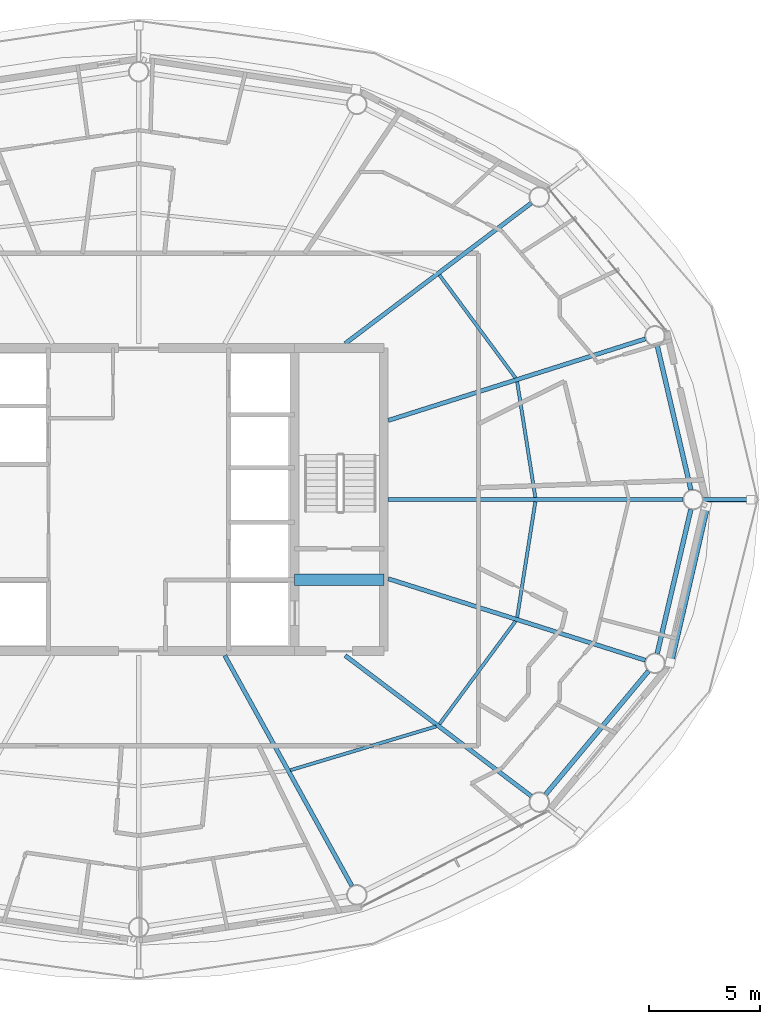
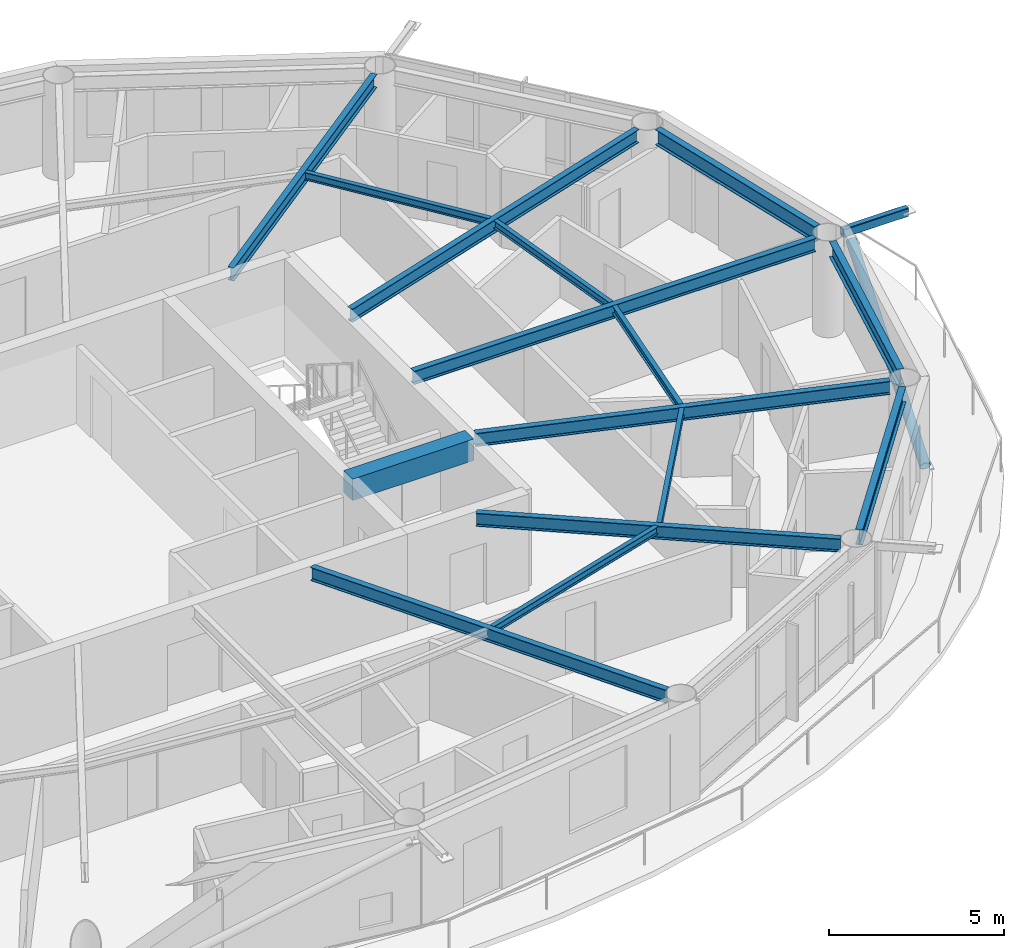
# One storey, part 6 of 23: 15 beams, 2 members.
"""IFC4 building model written with IfcOpenShell, lengths in metres."""

import ifcopenshell
import ifcopenshell.guid

model = None  # the IFC model being written
_history = None  # IfcOwnerHistory: only IFC2X3 demands one
_inside = {}  # id of a spatial element -> (the spatial element, [elements in it])
_under = {}  # id of a project, library or spatial element -> (it, [spatial elements below it])
_declared = {}  # id of a project -> (the project, [libraries it declares])
_typed = {}  # id of a type object -> (the type object, [elements of that type])
_made_of = {}  # id of a material, layer set ... -> (it, [elements and type objects made of it])


def new_model(schema):
    """Start an empty IFC model of exactly this schema.

    Asked for "IFC4X3", IfcOpenShell would pick the latest addendum, in which some entities
    have other attributes; the version numbers below select the first issue.
    IFC2X3 requires an IfcOwnerHistory on every rooted entity: one is made here for all.
    """
    global model, _history
    if schema == "IFC4X3":
        model = ifcopenshell.file(schema_version=(4, 3, 0, 0))
    else:
        model = ifcopenshell.file(schema=schema)
    _inside.clear()
    _under.clear()
    _declared.clear()
    _typed.clear()
    _made_of.clear()
    _history = None
    if model.schema == "IFC2X3":
        org = make("IfcOrganization", Name="unknown")
        user = make(
            "IfcPersonAndOrganization",
            ThePerson=make("IfcPerson", FamilyName="unknown"),
            TheOrganization=org,
        )
        app = make(
            "IfcApplication",
            ApplicationDeveloper=org,
            Version="unknown",
            ApplicationFullName="unknown",
            ApplicationIdentifier="unknown",
        )
        _history = make(
            "IfcOwnerHistory",
            OwningUser=user,
            OwningApplication=app,
            ChangeAction="ADDED",
            CreationDate=0,
        )
    return model


def make(cls, **values):
    """One entity of the class cls with the attributes given. An attribute that is None is left unset."""
    return model.create_entity(
        cls, **{name: value for name, value in values.items() if value is not None}
    )


def rooted(cls, **values):
    """An entity with a GlobalId (a new one), such as an element, a storey or a relation."""
    return make(cls, GlobalId=ifcopenshell.guid.new(), OwnerHistory=_history, **values)


def si_unit(unit_type, name, prefix=None):
    """IfcSIUnit, for example si_unit("LENGTHUNIT", "METRE", prefix="MILLI")."""
    return make("IfcSIUnit", UnitType=unit_type, Prefix=prefix, Name=name)


def assignment(units):
    """IfcUnitAssignment: the units of a project."""
    return None if units is None else make("IfcUnitAssignment", Units=units)


def point(xyz):
    """IfcCartesianPoint."""
    return None if xyz is None else make("IfcCartesianPoint", Coordinates=xyz)


def direction(xyz):
    """IfcDirection."""
    return None if xyz is None else make("IfcDirection", DirectionRatios=xyz)


def frame(location, z_axis=None, x_axis=None):
    """IfcAxis2Placement3D, a coordinate frame: its origin and axes. An axis left out is left unset."""
    return make(
        "IfcAxis2Placement3D",
        Location=point(location),
        Axis=direction(z_axis),
        RefDirection=direction(x_axis),
    )


def frame_2d(location, x_axis=None):
    """IfcAxis2Placement2D, a coordinate frame in the plane: its origin and x axis."""
    return make(
        "IfcAxis2Placement2D", Location=point(location), RefDirection=direction(x_axis)
    )


def origin():
    """The frame at (0, 0, 0) with its axes left unset."""
    return frame((0.0, 0.0, 0.0))


def origin_2d():
    """The frame at (0, 0) in the plane with its x axis left unset."""
    return frame_2d((0.0, 0.0))


def place(relative_to, where):
    """IfcLocalPlacement: puts the frame where relative to a parent placement (None: the world)."""
    return make(
        "IfcLocalPlacement", PlacementRelTo=relative_to, RelativePlacement=where
    )


def context(
    kind, dimensions, precision=None, world=None, true_north=None, identifier=None
):
    """IfcGeometricRepresentationContext, for example the 3D "Model" context."""
    return make(
        "IfcGeometricRepresentationContext",
        ContextIdentifier=identifier,
        ContextType=kind,
        CoordinateSpaceDimension=dimensions,
        Precision=precision,
        WorldCoordinateSystem=world,
        TrueNorth=true_north,
    )


def subcontext(parent, identifier, kind, view, scale=None):
    """IfcGeometricRepresentationSubContext, for example "Body" below "Model"."""
    return make(
        "IfcGeometricRepresentationSubContext",
        ContextIdentifier=identifier,
        ContextType=kind,
        ParentContext=parent,
        TargetScale=scale,
        TargetView=view,
    )


def project(units=None, contexts=None):
    """IfcProject with its units and contexts."""
    return rooted(
        "IfcProject",
        Name="project",
        RepresentationContexts=contexts,
        UnitsInContext=assignment(units),
    )


def spatial(cls, under=None, at=None, **own):
    """A site, building, storey or space (cls), placed at a placement, below another one or the project."""
    s = rooted(cls, ObjectPlacement=at, **own)
    if under is not None:
        _under.setdefault(under.id(), (under, []))[1].append(s)
    return s


def profile(cls, at=None, kind="AREA", **sizes):
    """A parametric profile (cls). Its sizes go by their IFC names, for example OverallWidth=200.0."""
    return make(cls, ProfileType=kind, Position=at, **sizes)


def rectangle(**sizes):
    """IfcRectangleProfileDef."""
    return profile("IfcRectangleProfileDef", **sizes)


def hollow_rectangle(**sizes):
    """IfcRectangleHollowProfileDef."""
    return profile("IfcRectangleHollowProfileDef", **sizes)


def hollow_circle(**sizes):
    """IfcCircleHollowProfileDef."""
    return profile("IfcCircleHollowProfileDef", **sizes)


def i_section(**sizes):
    """IfcIShapeProfileDef."""
    return profile("IfcIShapeProfileDef", **sizes)


def extrude(swept, where, along, depth):
    """IfcExtrudedAreaSolid: the profile swept, set in the frame where, extruded along a direction by depth."""
    return make(
        "IfcExtrudedAreaSolid",
        SweptArea=swept,
        Position=where,
        ExtrudedDirection=direction(along),
        Depth=depth,
    )


def shape(context_of_items, identifier, shape_type, items):
    """IfcShapeRepresentation: the items that make up one representation, for example the "Body"."""
    return make(
        "IfcShapeRepresentation",
        ContextOfItems=context_of_items,
        RepresentationIdentifier=identifier,
        RepresentationType=shape_type,
        Items=items,
    )


def material(Name=None, Category=None):
    """IfcMaterial."""
    return make("IfcMaterial", Name=Name, Category=Category)


def material_profile(
    of_material, cross_section, Name=None, Category=None, Priority=None
):
    """IfcMaterialProfile: a cross section and its material."""
    return make(
        "IfcMaterialProfile",
        Name=Name,
        Material=of_material,
        Profile=cross_section,
        Priority=Priority,
        Category=Category,
    )


def profile_set(profiles, Name=None, composite=None):
    """IfcMaterialProfileSet."""
    return make(
        "IfcMaterialProfileSet",
        Name=Name,
        MaterialProfiles=profiles,
        CompositeProfile=composite,
    )


def made_of(thing, what):
    """Note that an element or type object is made of a material, layer set ...; save() writes the relation."""
    if what is not None:
        _made_of.setdefault(what.id(), (what, []))[1].append(thing)
    return thing


def type_object(cls, material=None, **own):
    """A type object (cls), such as IfcWallType, which elements share."""
    return made_of(rooted(cls, **own), material)


def element(
    cls,
    number,
    at=None,
    inside=None,
    cuts=None,
    type_object=None,
    material=None,
    context=None,
    identifier="Body",
    shape_type=None,
    held_by="IfcProductDefinitionShape",
    body=None,
    shapes=None,
    **own,
):
    """One element of the class cls, such as IfcWall. Its Tag is "e" and its number.

    at: its placement. inside: the storey or other place that contains it. cuts: it is an
    opening in that element (IfcRelVoidsElement). A single representation is given by context,
    identifier, shape_type and body (its items); several are given by shapes. held_by: the class
    of the entity that holds the representations. save() writes the other relations.
    """
    e = rooted(cls, Tag="e%d" % number, ObjectPlacement=at, **own)
    if body is not None:
        shapes = [shape(context, identifier, shape_type, body)]
    if shapes is not None:
        e.Representation = make(held_by, Representations=shapes)
    if inside is not None:
        _inside.setdefault(inside.id(), (inside, []))[1].append(e)
    if cuts is not None:
        rooted(
            "IfcRelVoidsElement", RelatingBuildingElement=cuts, RelatedOpeningElement=e
        )
    if type_object is not None:
        _typed.setdefault(type_object.id(), (type_object, []))[1].append(e)
    return made_of(e, material)


def aggregate(whole, parts):
    """IfcRelAggregates: a whole, such as a stair, and the parts it consists of."""
    return rooted("IfcRelAggregates", RelatingObject=whole, RelatedObjects=parts)


def save(model, path):
    """Write the relations noted so far, then the file.

    IfcRelAggregates (storeys below a building ...), IfcRelContainedInSpatialStructure (elements
    in a storey), IfcRelDefinesByType, IfcRelAssociatesMaterial and IfcRelDeclares: one each for
    every whole, place, type object, material and project.
    """
    for whole, parts in _under.values():
        aggregate(whole, parts)
    for where, things in _inside.values():
        rooted(
            "IfcRelContainedInSpatialStructure",
            RelatedElements=things,
            RelatingStructure=where,
        )
    for kind, things in _typed.values():
        rooted("IfcRelDefinesByType", RelatedObjects=things, RelatingType=kind)
    for what, things in _made_of.values():
        rooted("IfcRelAssociatesMaterial", RelatedObjects=things, RelatingMaterial=what)
    for by, libraries in _declared.values():
        rooted("IfcRelDeclares", RelatingContext=by, RelatedDefinitions=libraries)
    model.write(path)


model = new_model("IFC4")

# Units and contexts
model_context = context("Model", 3, precision=1e-05, world=origin(), true_north=direction((0.0, 1.0)))
body_context = subcontext(model_context, "Body", "Model", "MODEL_VIEW")
ifc_project = project(units=[si_unit("LENGTHUNIT", "METRE"), si_unit("AREAUNIT", "SQUARE_METRE"), si_unit("VOLUMEUNIT", "CUBIC_METRE"), si_unit("PLANEANGLEUNIT", "RADIAN"), si_unit("MASSUNIT", "GRAM", prefix="KILO")], contexts=[model_context])

# Site, building, storey
site_placement = place(None, origin())
site = spatial("IfcSite", under=ifc_project, at=site_placement, CompositionType="ELEMENT")
building_placement = place(site_placement, origin())
building = spatial("IfcBuilding", under=site, at=building_placement, Name="Sarneth Arch Tower", CompositionType="ELEMENT")
storey_placement = place(building_placement, frame((0.0, 0.0, 228.0)))
storey = spatial("IfcBuildingStorey", under=building, at=storey_placement, Name="L58", CompositionType="ELEMENT", Elevation=228.0)

# Beams
ifc_material_1 = material(Name="Steel S355", Category="steel")
ifc_material_profile_1 = material_profile(ifc_material_1, i_section(OverallWidth=0.14794921875, OverallDepth=0.26611328125, WebThickness=0.007568359375, FlangeThickness=0.012939453125, FilletRadius=0.012939453125, at=origin_2d()), Name="W250x44.8")
ifc_profile_set_1 = profile_set([ifc_material_profile_1], Name="Steel S355")
beam_type_1 = type_object("IfcBeamType", Name="BM-JOIST-250", PredefinedType="JOIST", material=ifc_profile_set_1)
beam_1_placement = place(storey_placement, frame((65.8017578125, 42.0947265625, 3.22705078125), z_axis=(-0.155421095795, 0.987848309702, 0.0), x_axis=(-0.987848309702, -0.155421095795, 0.0)))
element("IfcBeam", 1, at=beam_1_placement, inside=storey, type_object=beam_type_1, Name="L58 Secondary floor joist 01", PredefinedType="JOIST", context=body_context, shape_type="SweptSolid", body=[
    extrude(i_section(OverallWidth=0.14794921875, OverallDepth=0.26611328125, WebThickness=0.007568359375, FlangeThickness=0.012939453125, FilletRadius=0.012939453125, at=origin_2d()), origin(), (0.0, 0.0, 1.0), 5.256103515625),
])
beam_2_placement = place(storey_placement, frame((64.912841796875, 47.458740234375, 3.22705078125), z_axis=(-0.594557229879, 0.804053294501, 0.0), x_axis=(-0.804053294501, -0.594557229879, 0.0)))
element("IfcBeam", 2, at=beam_2_placement, inside=storey, type_object=beam_type_1, Name="L58 Secondary floor joist 02", PredefinedType="JOIST", context=body_context, shape_type="SweptSolid", body=[
    extrude(i_section(OverallWidth=0.14794921875, OverallDepth=0.26611328125, WebThickness=0.007568359375, FlangeThickness=0.012939453125, FilletRadius=0.012939453125, at=origin_2d()), origin(), (0.0, 0.0, 1.0), 5.74169921875),
])
beam_3_placement = place(storey_placement, frame((54.810546875, 29.85546875, 3.22705078125), z_axis=(0.957725851155, 0.287682453461, 0.0), x_axis=(-0.287682453461, 0.957725851155, 0.0)))
element("IfcBeam", 3, at=beam_3_placement, inside=storey, type_object=beam_type_1, Name="L58 Secondary floor joist 14", PredefinedType="JOIST", context=body_context, shape_type="SweptSolid", body=[
    extrude(i_section(OverallWidth=0.14794921875, OverallDepth=0.26611328125, WebThickness=0.007568359375, FlangeThickness=0.012939453125, FilletRadius=0.012939453125, at=origin_2d()), origin(), (0.0, 0.0, 1.0), 6.828125),
])
beam_4_placement = place(storey_placement, frame((61.4990234375, 31.924560546875, 3.22705078125), z_axis=(0.594557229879, 0.804053294501, 0.0), x_axis=(-0.804053294501, 0.594557229879, 0.0)))
element("IfcBeam", 4, at=beam_4_placement, inside=storey, type_object=beam_type_1, Name="L58 Secondary floor joist 15", PredefinedType="JOIST", context=body_context, shape_type="SweptSolid", body=[
    extrude(i_section(OverallWidth=0.14794921875, OverallDepth=0.26611328125, WebThickness=0.007568359375, FlangeThickness=0.012939453125, FilletRadius=0.012939453125, at=origin_2d()), origin(), (0.0, 0.0, 1.0), 5.74169921875),
])
beam_5_placement = place(storey_placement, frame((64.98486328125, 36.713134765625, 3.22705078125), z_axis=(0.155421095795, 0.987848309702, 0.0), x_axis=(-0.987848309702, 0.155421095795, 0.0)))
element("IfcBeam", 5, at=beam_5_placement, inside=storey, type_object=beam_type_1, Name="L58 Secondary floor joist 16", PredefinedType="JOIST", context=body_context, shape_type="SweptSolid", body=[
    extrude(i_section(OverallWidth=0.14794921875, OverallDepth=0.26611328125, WebThickness=0.007568359375, FlangeThickness=0.012939453125, FilletRadius=0.012939453125, at=origin_2d()), origin(), (0.0, 0.0, 1.0), 5.256103515625),
])
ifc_material_2 = material(Name="Concrete C50/60", Category="concrete")
ifc_material_profile_2 = material_profile(ifc_material_2, rectangle(XDim=0.5, YDim=0.75, at=origin_2d()), Name="RC-500x750")
ifc_profile_set_2 = profile_set([ifc_material_profile_2], Name="Concrete C50/60")
beam_type_2 = type_object("IfcBeamType", Name="BM-LINTEL-RC", PredefinedType="LINTEL", material=ifc_profile_set_2)
beam_6_placement = place(storey_placement, frame((55.0, 38.39990234375, 2.985107421875), z_axis=(1.0, 0.0, 0.0), x_axis=(0.0, 1.0, 0.0)))
element("IfcBeam", 6, at=beam_6_placement, inside=storey, type_object=beam_type_2, Name="L58 Core coupling lintel E", PredefinedType="LINTEL", context=body_context, shape_type="SweptSolid", body=[
    extrude(rectangle(XDim=0.5, YDim=0.75, at=origin_2d()), origin(), (0.0, 0.0, 1.0), 4.0),
])
ifc_material_3 = material(Name="Steel S355", Category="steel")
ifc_material_profile_3 = material_profile(ifc_material_3, i_section(OverallWidth=0.19189453125, OverallDepth=0.462890625, WebThickness=0.010498046875, FlangeThickness=0.017578125, FilletRadius=0.01806640625, at=origin_2d()), Name="W460x89")
ifc_profile_set_3 = profile_set([ifc_material_profile_3], Name="Steel S355")
beam_type_3 = type_object("IfcBeamType", Name="BM-RAD-460B", PredefinedType="BEAM", material=ifc_profile_set_3)
beam_7_placement = place(storey_placement, frame((59.199951171875, 42.0, 3.12841796875), z_axis=(1.0, 0.0, 0.0), x_axis=(0.0, 1.0, 0.0)))
element("IfcBeam", 7, at=beam_7_placement, inside=storey, type_object=beam_type_3, Name="L58 Radial floor girder 01", PredefinedType="BEAM", context=body_context, shape_type="SweptSolid", body=[
    extrude(i_section(OverallWidth=0.19189453125, OverallDepth=0.462890625, WebThickness=0.010498046875, FlangeThickness=0.017578125, FilletRadius=0.01806640625, at=origin_2d()), origin(), (0.0, 0.0, 1.0), 13.233154296875),
])
beam_8_placement = place(storey_placement, frame((59.199951171875, 45.5517578125, 3.12841796875), z_axis=(0.953215615433, 0.302291234563, 0.0), x_axis=(-0.302291234563, 0.953215615433, 0.0)))
element("IfcBeam", 8, at=beam_8_placement, inside=storey, type_object=beam_type_3, Name="L58 Radial floor girder 02", PredefinedType="BEAM", context=body_context, shape_type="SweptSolid", body=[
    extrude(i_section(OverallWidth=0.19189453125, OverallDepth=0.462890625, WebThickness=0.010498046875, FlangeThickness=0.017578125, FilletRadius=0.01806640625, at=origin_2d()), origin(), (0.0, 0.0, 1.0), 12.1064453125),
])
beam_9_placement = place(storey_placement, frame((57.26806640625, 49.0, 3.12841796875), z_axis=(0.79797356997, 0.602692443647, 0.0), x_axis=(-0.602692443647, 0.79797356997, 0.0)))
element("IfcBeam", 9, at=beam_9_placement, inside=storey, type_object=beam_type_3, Name="L58 Radial floor girder 03", PredefinedType="BEAM", context=body_context, shape_type="SweptSolid", body=[
    extrude(i_section(OverallWidth=0.19189453125, OverallDepth=0.462890625, WebThickness=0.010498046875, FlangeThickness=0.017578125, FilletRadius=0.01806640625, at=origin_2d()), origin(), (0.0, 0.0, 1.0), 10.461669921875),
])
beam_10_placement = place(storey_placement, frame((51.86376953125, 35.0, 3.12841796875), z_axis=(0.483218265038, -0.875499919094, 0.0), x_axis=(0.875499919094, 0.483218265038, 0.0)))
element("IfcBeam", 10, at=beam_10_placement, inside=storey, type_object=beam_type_3, Name="L58 Radial floor girder 14", PredefinedType="BEAM", context=body_context, shape_type="SweptSolid", body=[
    extrude(i_section(OverallWidth=0.19189453125, OverallDepth=0.462890625, WebThickness=0.010498046875, FlangeThickness=0.017578125, FilletRadius=0.01806640625, at=origin_2d()), origin(), (0.0, 0.0, 1.0), 11.8154296875),
])
beam_11_placement = place(storey_placement, frame((57.26806640625, 35.0, 3.12841796875), z_axis=(0.79797356997, -0.602692443647, 0.0), x_axis=(0.602692443647, 0.79797356997, 0.0)))
element("IfcBeam", 11, at=beam_11_placement, inside=storey, type_object=beam_type_3, Name="L58 Radial floor girder 15", PredefinedType="BEAM", context=body_context, shape_type="SweptSolid", body=[
    extrude(i_section(OverallWidth=0.19189453125, OverallDepth=0.462890625, WebThickness=0.010498046875, FlangeThickness=0.017578125, FilletRadius=0.01806640625, at=origin_2d()), origin(), (0.0, 0.0, 1.0), 10.461669921875),
])
beam_12_placement = place(storey_placement, frame((59.199951171875, 38.4482421875, 3.12841796875), z_axis=(0.953215615433, -0.302291234563, 0.0), x_axis=(0.302291234563, 0.953215615433, 0.0)))
element("IfcBeam", 12, at=beam_12_placement, inside=storey, type_object=beam_type_3, Name="L58 Radial floor girder 16", PredefinedType="BEAM", context=body_context, shape_type="SweptSolid", body=[
    extrude(i_section(OverallWidth=0.19189453125, OverallDepth=0.462890625, WebThickness=0.010498046875, FlangeThickness=0.017578125, FilletRadius=0.01806640625, at=origin_2d()), origin(), (0.0, 0.0, 1.0), 12.1064453125),
])
ifc_material_4 = material(Name="Steel S355", Category="steel")
ifc_material_profile_4 = material_profile(ifc_material_4, i_section(OverallWidth=0.2109375, OverallDepth=0.5390625, WebThickness=0.01171875, FlangeThickness=0.018798828125, FilletRadius=0.01806640625, at=origin_2d()), Name="W530x109")
ifc_profile_set_4 = profile_set([ifc_material_profile_4], Name="Steel S355")
beam_type_4 = type_object("IfcBeamType", Name="BM-RAD-530B", PredefinedType="BEAM", material=ifc_profile_set_4)
beam_13_placement = place(storey_placement, frame((72.781005859375, 42.438232421875, 3.090576171875), z_axis=(-0.227247037844, 0.973837144389, 0.0), x_axis=(-0.973837144389, -0.227247037844, 0.0)))
element("IfcBeam", 13, at=beam_13_placement, inside=storey, type_object=beam_type_4, Name="L58 Perimeter spandrel beam 01", PredefinedType="BEAM", context=body_context, shape_type="SweptSolid", body=[
    extrude(i_section(OverallWidth=0.2109375, OverallDepth=0.5390625, WebThickness=0.01171875, FlangeThickness=0.018798828125, FilletRadius=0.01806640625, at=origin_2d()), origin(), (0.0, 0.0, 1.0), 6.644775390625),
])
beam_14_placement = place(storey_placement, frame((66.263427734375, 28.769287109375, 3.090576171875), z_axis=(0.640390876881, 0.768049168222, 0.0), x_axis=(-0.768049168222, 0.640390876881, 0.0)))
element("IfcBeam", 14, at=beam_14_placement, inside=storey, type_object=beam_type_4, Name="L58 Perimeter spandrel beam 15", PredefinedType="BEAM", context=body_context, shape_type="SweptSolid", body=[
    extrude(i_section(OverallWidth=0.2109375, OverallDepth=0.5390625, WebThickness=0.01171875, FlangeThickness=0.018798828125, FilletRadius=0.01806640625, at=origin_2d()), origin(), (0.0, 0.0, 1.0), 7.2099609375),
])
beam_15_placement = place(storey_placement, frame((71.27099609375, 35.0908203125, 3.090576171875), z_axis=(0.227247037844, 0.973837144389, 0.0), x_axis=(-0.973837144389, 0.227247037844, 0.0)))
element("IfcBeam", 15, at=beam_15_placement, inside=storey, type_object=beam_type_4, Name="L58 Perimeter spandrel beam 16", PredefinedType="BEAM", context=body_context, shape_type="SweptSolid", body=[
    extrude(i_section(OverallWidth=0.2109375, OverallDepth=0.5390625, WebThickness=0.01171875, FlangeThickness=0.018798828125, FilletRadius=0.01806640625, at=origin_2d()), origin(), (0.0, 0.0, 1.0), 6.644775390625),
])

# Members
ifc_material_5 = material(Name="Steel S355", Category="steel")
ifc_material_profile_5 = material_profile(ifc_material_5, hollow_rectangle(XDim=0.199951171875, YDim=0.300048828125, WallThickness=0.012451171875, InnerFilletRadius=0.018798828125, OuterFilletRadius=0.03125, at=origin_2d()), Name="RHS300x200x12.5")
ifc_profile_set_5 = profile_set([ifc_material_profile_5], Name="Steel S355")
member_type_1 = type_object("IfcMemberType", Name="MEM-CANT-STRUT", PredefinedType="STRUT", material=ifc_profile_set_5)
member_1_placement = place(storey_placement, frame((73.333251953125, 42.0, 3.199951171875), z_axis=(1.0, 0.0, 0.0), x_axis=(0.0, 1.0, 0.0)))
element("IfcMember", 16, at=member_1_placement, inside=storey, type_object=member_type_1, Name="L58 Balcony cantilever bracket 01", PredefinedType="STRUT", context=body_context, shape_type="SweptSolid", body=[
    extrude(hollow_rectangle(XDim=0.199951171875, YDim=0.300048828125, WallThickness=0.012451171875, InnerFilletRadius=0.018798828125, OuterFilletRadius=0.03125, at=origin_2d()), origin(), (0.0, 0.0, 1.0), 2.14404296875),
])
ifc_material_6 = material(Name="Steel S355", Category="steel")
ifc_material_profile_6 = material_profile(ifc_material_6, hollow_circle(Radius=0.162109375, WallThickness=0.012451171875, at=origin_2d()), Name="CHS324x12.5")
ifc_profile_set_6 = profile_set([ifc_material_profile_6], Name="Steel S355")
member_type_2 = type_object("IfcMemberType", Name="MEM-DIAG-BR3", PredefinedType="BRACE", material=ifc_profile_set_6)
member_2_placement = place(storey_placement, frame((71.851806640625, 34.6845703125, 0.02001953125), z_axis=(0.207917989892, 0.898749333617, 0.386030756289), x_axis=(-0.974268900284, 0.225388797281, 0.0)))
element("IfcMember", 17, at=member_2_placement, inside=storey, type_object=member_type_2, Name="L58 Perimeter frame diagonal 16", PredefinedType="BRACE", context=body_context, shape_type="SweptSolid", body=[
    extrude(hollow_circle(Radius=0.162109375, WallThickness=0.012451171875, at=origin_2d()), origin(), (0.0, 0.0, 1.0), 7.814453125),
])

save(model, "model.ifc")
